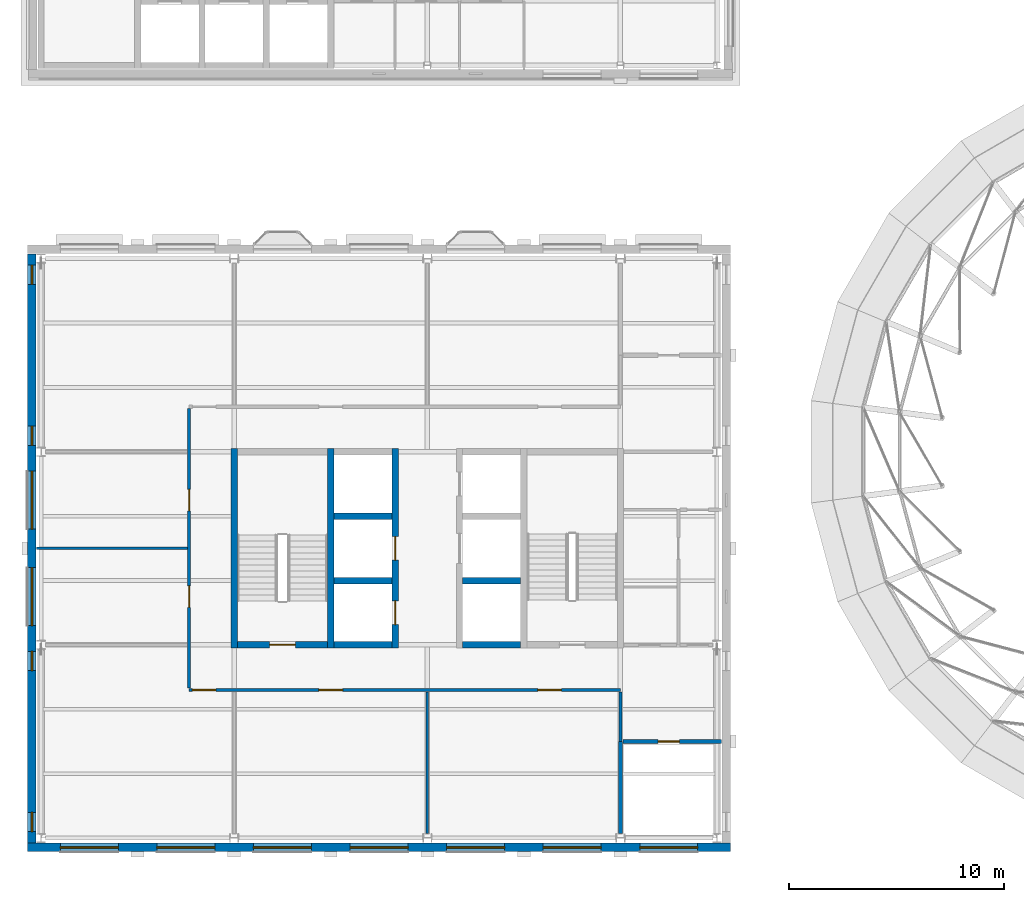
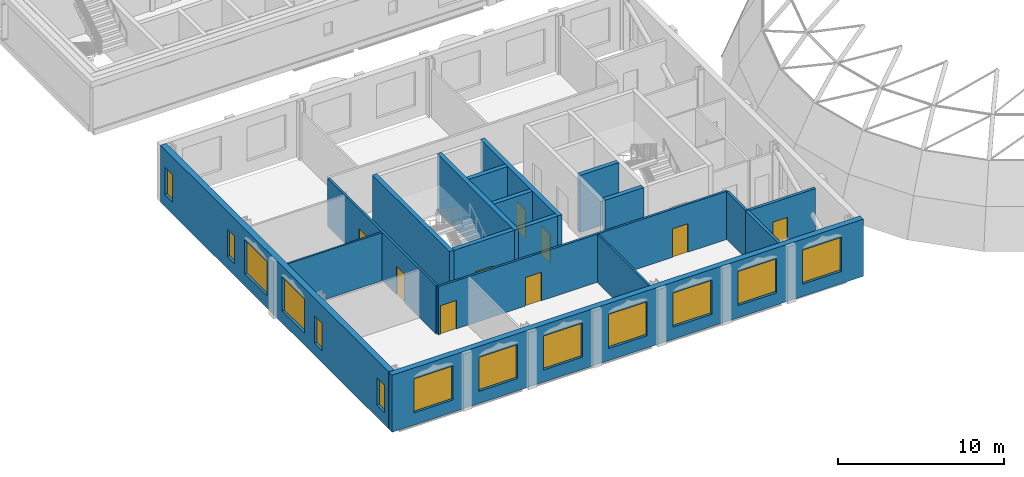
# One storey, part 33 of 62: 18 walls, 13 windows, 9 doors, 22 openings.
"""IFC4 building model written with IfcOpenShell, lengths in metres."""

from ifc_helpers import new_model, si_unit, direction, frame, frame_2d, origin, place, context, subcontext, project, spatial, rectangle, extrude, material, layer, layer_set, type_object, element, fill, save


model = new_model("IFC4")

# Units and contexts
model_context = context("Model", 3, precision=1e-05, world=origin(), true_north=direction((0.0, 1.0)))
body_context = subcontext(model_context, "Body", "Model", "MODEL_VIEW")
ifc_project = project(units=[si_unit("LENGTHUNIT", "METRE"), si_unit("AREAUNIT", "SQUARE_METRE"), si_unit("VOLUMEUNIT", "CUBIC_METRE"), si_unit("PLANEANGLEUNIT", "RADIAN"), si_unit("MASSUNIT", "GRAM", prefix="KILO")], contexts=[model_context])

# Site, building, storey
site_placement = place(None, origin())
site = spatial("IfcSite", under=ifc_project, at=site_placement, CompositionType="ELEMENT")
building_placement = place(site_placement, origin())
building = spatial("IfcBuilding", under=site, at=building_placement, Name="Hortulan Conservatory and Botanical Research Centre", CompositionType="ELEMENT")
storey_placement = place(building_placement, frame((0.0, 0.0, 15.0)))
storey = spatial("IfcBuildingStorey", under=building, at=storey_placement, Name="L03", CompositionType="ELEMENT", Elevation=15.0)

# Wall
ifc_material_1 = material(Name="Fire-rated plasterboard on steel studs", Category="steel")
ifc_layer_1 = layer(ifc_material_1, 0.199951171875)
ifc_layer_set_1 = layer_set([ifc_layer_1], Name="Compartment Partition 200")
wall_type_1 = type_object("IfcWallType", Name="Compartment Partition 200", PredefinedType="PARTITIONING", material=ifc_layer_set_1)
wall_1_placement = place(storey_placement, frame((27.0, 0.220947265625, 0.0), z_axis=(0.0, 0.0, 1.0), x_axis=(0.0, 1.0, 0.0)))
element("IfcWall", 1, at=wall_1_placement, inside=storey, type_object=wall_type_1, Name="Riser wall", PredefinedType="PARTITIONING", context=body_context, shape_type="SweptSolid", body=[
    extrude(rectangle(XDim=4.279052734375, YDim=0.199951171875, at=frame_2d((2.1396484375, 0.0))), origin(), (0.0, 0.0, 1.0), 3.537109375),
])

# Wall, opening, door
wall_2_placement = place(storey_placement, frame((27.110107421875, 4.5, 0.0), z_axis=(0.0, 0.0, 1.0), x_axis=(1.0, 0.0, 0.0)))
wall_2 = element("IfcWall", 2, at=wall_2_placement, inside=storey, type_object=wall_type_1, Name="Riser wall", PredefinedType="PARTITIONING", context=body_context, shape_type="SweptSolid", body=[
    extrude(rectangle(XDim=4.60498046875, YDim=0.199951171875, at=frame_2d((2.302490234375, 0.0))), origin(), (0.0, 0.0, 1.0), 3.537109375),
])
opening_1_placement = place(wall_2_placement, frame((1.639892578125, 0.0, 0.0)))
opening_1 = element("IfcOpeningElement", 3, at=opening_1_placement, cuts=wall_2, Name="Opening DT6", PredefinedType="OPENING", context=body_context, shape_type="SweptSolid", body=[
    extrude(rectangle(XDim=1.0, YDim=2.10009765625, at=frame_2d((0.5, 1.050048828125))), frame((0.0, 0.10986328125, 0.0), z_axis=(0.0, -1.0, 0.0), x_axis=(1.0, 0.0, 0.0)), (0.0, 0.0, 1.0), 0.219970703125),
])
ifc_material_2 = material(Name="Steel door leaf, insulated", Category="steel")
door_type_1 = type_object("IfcDoorType", Name="Fire Door 1000x2100 FRL -/120/30", OperationType="NOTDEFINED", PredefinedType="DOOR", material=ifc_material_2)
door_1_placement = place(opening_1_placement, frame((1.0, 0.0, 0.0), z_axis=(0.0, 0.0, 1.0), x_axis=(-1.0, 0.0, 0.0)))
door_1 = element("IfcDoor", 4, at=door_1_placement, inside=storey, type_object=door_type_1, Name="Door DT6 Services Riser", OperationType="SINGLE_SWING_LEFT", OverallHeight=2.10009765625, OverallWidth=1.0, PredefinedType="DOOR", context=body_context, shape_type="SweptSolid", body=[
    extrude(rectangle(XDim=1.0, YDim=2.10009765625, at=frame_2d((0.5, 1.050048828125))), frame((0.0, 0.02490234375, 0.0), z_axis=(0.0, -1.0, 0.0), x_axis=(1.0, 0.0, 0.0)), (0.0, 0.0, 1.0), 0.050048828125),
])
fill(opening_1, door_1)

# Walls
ifc_material_3 = material(Name="Concrete N50 (50 MPa, AS 3600)", Category="concrete")
ifc_layer_2 = layer(ifc_material_3, 0.300048828125)
ifc_layer_set_2 = layer_set([ifc_layer_2], Name="Core Wall 300 N50 FRL 240/120/120")
wall_type_2 = type_object("IfcWallType", Name="Core Wall 300 N50 FRL 240/120/120", PredefinedType="SHEAR", material=ifc_layer_set_2)
for number, where, z_axis, x_axis, name in (
    (5, (9.0, 8.85009765625, 0.0), (0.0, 0.0, 1.0), (0.0, 1.0, 0.0), "Reinforced concrete shaft wall"),
    (6, (13.5, 8.85009765625, 0.0), (0.0, 0.0, 1.0), (0.0, 1.0, 0.0), "Reinforced concrete shaft wall"),
):
    element("IfcWall", number, at=place(storey_placement, frame(where, z_axis=z_axis, x_axis=x_axis)), inside=storey, type_object=wall_type_2, Name=name, PredefinedType="SHEAR", context=body_context, shape_type="SweptSolid", body=[
        extrude(rectangle(XDim=9.2998046875, YDim=0.300048828125, at=frame_2d((4.64990234375, 0.0))), origin(), (0.0, 0.0, 1.0), 4.199951171875),
    ])

# Wall, openings, doors
wall_3_placement = place(storey_placement, frame((16.5, 8.85009765625, 0.0), z_axis=(0.0, 0.0, 1.0), x_axis=(0.0, 1.0, 0.0)))
wall_3 = element("IfcWall", 7, at=wall_3_placement, inside=storey, type_object=wall_type_2, Name="Reinforced concrete shaft wall", PredefinedType="SHEAR", context=body_context, shape_type="SweptSolid", body=[
    extrude(rectangle(XDim=9.2998046875, YDim=0.300048828125, at=frame_2d((4.64990234375, 0.0))), origin(), (0.0, 0.0, 1.0), 4.199951171875),
])
opening_2_placement = place(wall_3_placement, frame((1.10009765625, 0.0, 0.0)))
opening_2 = element("IfcOpeningElement", 8, at=opening_2_placement, cuts=wall_3, Name="Opening LD1", PredefinedType="OPENING", context=body_context, shape_type="SweptSolid", body=[
    extrude(rectangle(XDim=1.10009765625, YDim=2.10009765625, at=frame_2d((0.550048828125, 1.050048828125))), frame((0.0, 0.159912109375, 0.0), z_axis=(0.0, -1.0, 0.0), x_axis=(1.0, 0.0, 0.0)), (0.0, 0.0, 1.0), 0.320068359375),
])
opening_3_placement = place(wall_3_placement, frame((4.10009765625, 0.0, 0.0)))
opening_3 = element("IfcOpeningElement", 9, at=opening_3_placement, cuts=wall_3, Name="Opening LD1", PredefinedType="OPENING", context=body_context, shape_type="SweptSolid", body=[
    extrude(rectangle(XDim=1.10009765625, YDim=2.10009765625, at=frame_2d((0.550048828125, 1.050048828125))), frame((0.0, 0.159912109375, 0.0), z_axis=(0.0, -1.0, 0.0), x_axis=(1.0, 0.0, 0.0)), (0.0, 0.0, 1.0), 0.320068359375),
])
ifc_material_4 = material(Name="Stainless steel door leaves in steel frame", Category="steel")
door_type_2 = type_object("IfcDoorType", Name="Lift Landing Door 1100x2100", OperationType="DOUBLE_DOOR_SLIDING", PredefinedType="DOOR", material=ifc_material_4)
door_2_placement = place(opening_2_placement, origin())
door_2 = element("IfcDoor", 10, at=door_2_placement, inside=storey, type_object=door_type_2, Name="Lift LP1 landing door L03", OperationType="DOUBLE_DOOR_SLIDING", OverallHeight=2.10009765625, OverallWidth=1.10009765625, PredefinedType="DOOR", context=body_context, shape_type="SweptSolid", body=[
    extrude(rectangle(XDim=1.10009765625, YDim=2.10009765625, at=frame_2d((0.550048828125, 1.050048828125))), frame((0.0, 0.02490234375, 0.0), z_axis=(0.0, -1.0, 0.0), x_axis=(1.0, 0.0, 0.0)), (0.0, 0.0, 1.0), 0.050048828125),
])
fill(opening_2, door_2)
door_3_placement = place(opening_3_placement, origin())
door_3 = element("IfcDoor", 11, at=door_3_placement, inside=storey, type_object=door_type_2, Name="Lift LP2 landing door L03", OperationType="DOUBLE_DOOR_SLIDING", OverallHeight=2.10009765625, OverallWidth=1.10009765625, PredefinedType="DOOR", context=body_context, shape_type="SweptSolid", body=[
    extrude(rectangle(XDim=1.10009765625, YDim=2.10009765625, at=frame_2d((0.550048828125, 1.050048828125))), frame((0.0, 0.02490234375, 0.0), z_axis=(0.0, -1.0, 0.0), x_axis=(1.0, 0.0, 0.0)), (0.0, 0.0, 1.0), 0.050048828125),
])
fill(opening_3, door_3)

# Wall, opening, door
wall_4_placement = place(storey_placement, frame((9.14990234375, 9.0, 0.0), z_axis=(0.0, 0.0, 1.0), x_axis=(1.0, 0.0, 0.0)))
wall_4 = element("IfcWall", 12, at=wall_4_placement, inside=storey, type_object=wall_type_2, Name="Reinforced concrete shaft wall", PredefinedType="SHEAR", context=body_context, shape_type="SweptSolid", body=[
    extrude(rectangle(XDim=4.2001953125, YDim=0.300048828125, at=frame_2d((2.10009765625, 0.0))), origin(), (0.0, 0.0, 1.0), 4.199951171875),
])
opening_4_placement = place(wall_4_placement, frame((1.5, 0.0, 0.0)))
opening_4 = element("IfcOpeningElement", 13, at=opening_4_placement, cuts=wall_4, Name="Opening DT5", PredefinedType="OPENING", context=body_context, shape_type="SweptSolid", body=[
    extrude(rectangle(XDim=1.199951171875, YDim=2.10009765625, at=frame_2d((0.60009765625, 1.050048828125))), frame((0.0, 0.159912109375, 0.0), z_axis=(0.0, -1.0, 0.0), x_axis=(1.0, 0.0, 0.0)), (0.0, 0.0, 1.0), 0.320068359375),
])
door_type_3 = type_object("IfcDoorType", Name="Stair Door 1200x2100 FRL -/120/30", OperationType="NOTDEFINED", PredefinedType="DOOR", material=ifc_material_2)
door_4_placement = place(opening_4_placement, origin())
door_4 = element("IfcDoor", 14, at=door_4_placement, inside=storey, type_object=door_type_3, Name="Door DT5 Exit Stair T1", OperationType="SINGLE_SWING_RIGHT", OverallHeight=2.10009765625, OverallWidth=1.199951171875, PredefinedType="DOOR", context=body_context, shape_type="SweptSolid", body=[
    extrude(rectangle(XDim=1.199951171875, YDim=2.10009765625, at=frame_2d((0.60009765625, 1.050048828125))), frame((0.0, 0.02490234375, 0.0), z_axis=(0.0, -1.0, 0.0), x_axis=(1.0, 0.0, 0.0)), (0.0, 0.0, 1.0), 0.050048828125),
])
fill(opening_4, door_4)

# Walls
for number, where, z_axis, x_axis, name in (
    (15, (13.64990234375, 9.0, 0.0), (0.0, 0.0, 1.0), (1.0, 0.0, 0.0), "Reinforced concrete shaft wall"),
    (16, (19.64990234375, 9.0, 0.0), (0.0, 0.0, 1.0), (1.0, 0.0, 0.0), "Reinforced concrete shaft wall"),
    (17, (13.64990234375, 12.0, 0.0), (0.0, 0.0, 1.0), (1.0, 0.0, 0.0), "Reinforced concrete shaft wall"),
    (18, (19.64990234375, 12.0, 0.0), (0.0, 0.0, 1.0), (1.0, 0.0, 0.0), "Reinforced concrete shaft wall"),
    (19, (13.64990234375, 15.0, 0.0), (0.0, 0.0, 1.0), (1.0, 0.0, 0.0), "Reinforced concrete shaft wall"),
):
    element("IfcWall", number, at=place(storey_placement, frame(where, z_axis=z_axis, x_axis=x_axis)), inside=storey, type_object=wall_type_2, Name=name, PredefinedType="SHEAR", context=body_context, shape_type="SweptSolid", body=[
        extrude(rectangle(XDim=2.7001953125, YDim=0.300048828125, at=frame_2d((1.35009765625, 0.0))), origin(), (0.0, 0.0, 1.0), 4.199951171875),
    ])

# Wall, openings, doors
ifc_material_5 = material(Name="Plasterboard on steel studs", Category="steel")
ifc_layer_3 = layer(ifc_material_5, 0.14990234375)
ifc_layer_set_3 = layer_set([ifc_layer_3], Name="Corridor Partition 150")
wall_type_3 = type_object("IfcWallType", Name="Corridor Partition 150", PredefinedType="PARTITIONING", material=ifc_layer_set_3)
wall_5_placement = place(storey_placement, frame((6.89990234375, 6.985107421875, 0.0), z_axis=(0.0, 0.0, 1.0), x_axis=(0.0, 1.0, 0.0)))
wall_5 = element("IfcWall", 20, at=wall_5_placement, inside=storey, type_object=wall_type_3, Name="Corridor partition", PredefinedType="PARTITIONING", context=body_context, shape_type="SweptSolid", body=[
    extrude(rectangle(XDim=13.02978515625, YDim=0.14990234375, at=frame_2d((6.514892578125, 0.0))), origin(), (0.0, 0.0, 1.0), 3.537109375),
])
opening_5_placement = place(wall_5_placement, frame((3.764892578125, 0.0, 0.0)))
opening_5 = element("IfcOpeningElement", 21, at=opening_5_placement, cuts=wall_5, Name="Opening DT1", PredefinedType="OPENING", context=body_context, shape_type="SweptSolid", body=[
    extrude(rectangle(XDim=1.0, YDim=2.10009765625, at=frame_2d((0.5, 1.050048828125))), frame((0.0, 0.0849609375, 0.0), z_axis=(0.0, -1.0, 0.0), x_axis=(1.0, 0.0, 0.0)), (0.0, 0.0, 1.0), 0.169921875),
])
opening_6_placement = place(wall_5_placement, frame((8.264892578125, 0.0, 0.0)))
opening_6 = element("IfcOpeningElement", 22, at=opening_6_placement, cuts=wall_5, Name="Opening DT1", PredefinedType="OPENING", context=body_context, shape_type="SweptSolid", body=[
    extrude(rectangle(XDim=1.0, YDim=2.10009765625, at=frame_2d((0.5, 1.050048828125))), frame((0.0, 0.0849609375, 0.0), z_axis=(0.0, -1.0, 0.0), x_axis=(1.0, 0.0, 0.0)), (0.0, 0.0, 1.0), 0.169921875),
])
ifc_material_6 = material(Name="Timber door leaf in timber frame", Category="wood")
door_type_4 = type_object("IfcDoorType", Name="Single Door 1000x2100", OperationType="NOTDEFINED", PredefinedType="DOOR", material=ifc_material_6)
door_5_placement = place(opening_5_placement, origin())
door_5 = element("IfcDoor", 23, at=door_5_placement, inside=storey, type_object=door_type_4, Name="Door DT1 Instrument Room", OperationType="SINGLE_SWING_LEFT", OverallHeight=2.10009765625, OverallWidth=1.0, PredefinedType="DOOR", context=body_context, shape_type="SweptSolid", body=[
    extrude(rectangle(XDim=1.0, YDim=2.10009765625, at=frame_2d((0.5, 1.050048828125))), frame((0.0, 0.02490234375, 0.0), z_axis=(0.0, -1.0, 0.0), x_axis=(1.0, 0.0, 0.0)), (0.0, 0.0, 1.0), 0.050048828125),
])
fill(opening_5, door_5)
door_6_placement = place(opening_6_placement, origin())
door_6 = element("IfcDoor", 24, at=door_6_placement, inside=storey, type_object=door_type_4, Name="Door DT1 Autoclave and Wash-up Room", OperationType="SINGLE_SWING_RIGHT", OverallHeight=2.10009765625, OverallWidth=1.0, PredefinedType="DOOR", context=body_context, shape_type="SweptSolid", body=[
    extrude(rectangle(XDim=1.0, YDim=2.10009765625, at=frame_2d((0.5, 1.050048828125))), frame((0.0, 0.02490234375, 0.0), z_axis=(0.0, -1.0, 0.0), x_axis=(1.0, 0.0, 0.0)), (0.0, 0.0, 1.0), 0.050048828125),
])
fill(opening_6, door_6)

# Wall
wall_6_placement = place(storey_placement, frame((27.0, 4.510009765625, 0.0), z_axis=(0.0, 0.0, 1.0), x_axis=(0.0, 1.0, 0.0)))
element("IfcWall", 25, at=wall_6_placement, inside=storey, type_object=wall_type_3, Name="Corridor partition", PredefinedType="PARTITIONING", context=body_context, shape_type="SweptSolid", body=[
    extrude(rectangle(XDim=2.304931640625, YDim=0.14990234375, at=frame_2d((1.15234375, 0.0))), origin(), (0.0, 0.0, 1.0), 3.537109375),
])

# Wall, openings, doors
wall_7_placement = place(storey_placement, frame((6.89990234375, 6.89990234375, 0.0), z_axis=(0.0, 0.0, 1.0), x_axis=(1.0, 0.0, 0.0)))
wall_7 = element("IfcWall", 26, at=wall_7_placement, inside=storey, type_object=wall_type_3, Name="Corridor partition", PredefinedType="PARTITIONING", context=body_context, shape_type="SweptSolid", body=[
    extrude(rectangle(XDim=20.10009765625, YDim=0.14990234375, at=frame_2d((10.050048828125, 0.0))), origin(), (0.0, 0.0, 1.0), 3.537109375),
])
opening_7_placement = place(wall_7_placement, frame((0.14990234375, 0.0, 0.0)))
opening_7 = element("IfcOpeningElement", 27, at=opening_7_placement, cuts=wall_7, Name="Opening DT3", PredefinedType="OPENING", context=body_context, shape_type="SweptSolid", body=[
    extrude(rectangle(XDim=1.10009765625, YDim=2.10009765625, at=frame_2d((0.550048828125, 1.050048828125))), frame((0.0, 0.0849609375, 0.0), z_axis=(0.0, -1.0, 0.0), x_axis=(1.0, 0.0, 0.0)), (0.0, 0.0, 1.0), 0.169921875),
])
opening_8_placement = place(wall_7_placement, frame((6.050048828125, 0.0, 0.0)))
opening_8 = element("IfcOpeningElement", 28, at=opening_8_placement, cuts=wall_7, Name="Opening DT3", PredefinedType="OPENING", context=body_context, shape_type="SweptSolid", body=[
    extrude(rectangle(XDim=1.10009765625, YDim=2.10009765625, at=frame_2d((0.550048828125, 1.050048828125))), frame((0.0, 0.0849609375, 0.0), z_axis=(0.0, -1.0, 0.0), x_axis=(1.0, 0.0, 0.0)), (0.0, 0.0, 1.0), 0.169921875),
])
opening_9_placement = place(wall_7_placement, frame((16.25, 0.0, 0.0)))
opening_9 = element("IfcOpeningElement", 29, at=opening_9_placement, cuts=wall_7, Name="Opening DT3", PredefinedType="OPENING", context=body_context, shape_type="SweptSolid", body=[
    extrude(rectangle(XDim=1.10009765625, YDim=2.10009765625, at=frame_2d((0.550048828125, 1.050048828125))), frame((0.0, 0.0849609375, 0.0), z_axis=(0.0, -1.0, 0.0), x_axis=(1.0, 0.0, 0.0)), (0.0, 0.0, 1.0), 0.169921875),
])
ifc_material_7 = material(Name="Timber door leaf with vision panel", Category="wood")
door_type_5 = type_object("IfcDoorType", Name="Laboratory Door 1100x2100", OperationType="NOTDEFINED", PredefinedType="DOOR", material=ifc_material_7)
door_7_placement = place(opening_7_placement, frame((1.10009765625, 0.0, 0.0), z_axis=(0.0, 0.0, 1.0), x_axis=(-1.0, 0.0, 0.0)))
door_7 = element("IfcDoor", 30, at=door_7_placement, inside=storey, type_object=door_type_5, Name="Door DT3 Research Laboratory", OperationType="SINGLE_SWING_RIGHT", OverallHeight=2.10009765625, OverallWidth=1.10009765625, PredefinedType="DOOR", context=body_context, shape_type="SweptSolid", body=[
    extrude(rectangle(XDim=1.10009765625, YDim=2.10009765625, at=frame_2d((0.550048828125, 1.050048828125))), frame((0.0, 0.02490234375, 0.0), z_axis=(0.0, -1.0, 0.0), x_axis=(1.0, 0.0, 0.0)), (0.0, 0.0, 1.0), 0.050048828125),
])
fill(opening_7, door_7)
door_8_placement = place(opening_8_placement, frame((1.10009765625, 0.0, 0.0), z_axis=(0.0, 0.0, 1.0), x_axis=(-1.0, 0.0, 0.0)))
door_8 = element("IfcDoor", 31, at=door_8_placement, inside=storey, type_object=door_type_5, Name="Door DT3 Molecular Biology Laboratory", OperationType="SINGLE_SWING_LEFT", OverallHeight=2.10009765625, OverallWidth=1.10009765625, PredefinedType="DOOR", context=body_context, shape_type="SweptSolid", body=[
    extrude(rectangle(XDim=1.10009765625, YDim=2.10009765625, at=frame_2d((0.550048828125, 1.050048828125))), frame((0.0, 0.02490234375, 0.0), z_axis=(0.0, -1.0, 0.0), x_axis=(1.0, 0.0, 0.0)), (0.0, 0.0, 1.0), 0.050048828125),
])
fill(opening_8, door_8)
door_9_placement = place(opening_9_placement, frame((1.10009765625, 0.0, 0.0), z_axis=(0.0, 0.0, 1.0), x_axis=(-1.0, 0.0, 0.0)))
door_9 = element("IfcDoor", 32, at=door_9_placement, inside=storey, type_object=door_type_5, Name="Door DT3 Tissue Culture Laboratory", OperationType="SINGLE_SWING_RIGHT", OverallHeight=2.10009765625, OverallWidth=1.10009765625, PredefinedType="DOOR", context=body_context, shape_type="SweptSolid", body=[
    extrude(rectangle(XDim=1.10009765625, YDim=2.10009765625, at=frame_2d((0.550048828125, 1.050048828125))), frame((0.0, 0.02490234375, 0.0), z_axis=(0.0, -1.0, 0.0), x_axis=(1.0, 0.0, 0.0)), (0.0, 0.0, 1.0), 0.050048828125),
])
fill(opening_9, door_9)

# Wall, openings, windows
ifc_material_8 = material(Name="Faience-faced brickwork masonry", Category="masonry")
ifc_layer_4 = layer(ifc_material_8, 0.39990234375)
ifc_layer_set_4 = layer_set([ifc_layer_4], Name="Faience-faced Masonry Cavity Wall 400")
wall_type_4 = type_object("IfcWallType", Name="Faience-faced Masonry Cavity Wall 400", PredefinedType="STANDARD", material=ifc_layer_set_4)
wall_8_placement = place(storey_placement, frame((32.125, -0.43603515625, 0.0), z_axis=(0.0, 0.0, 1.0), x_axis=(-1.0, 0.0, 0.0)))
wall_8 = element("IfcWall", 33, at=wall_8_placement, inside=storey, type_object=wall_type_4, Name="E-EW-TW-L03-S1", PredefinedType="STANDARD", context=body_context, shape_type="SweptSolid", body=[
    extrude(rectangle(XDim=32.75, YDim=0.39990234375, at=frame_2d((16.375, 0.0))), origin(), (0.0, 0.0, 1.0), 4.199951171875),
])
opening_10_placement = place(wall_8_placement, frame((28.52490234375, 0.0, 0.89990234375)))
opening_10 = element("IfcOpeningElement", 34, at=opening_10_placement, cuts=wall_8, Name="Opening W4", PredefinedType="OPENING", context=body_context, shape_type="SweptSolid", body=[
    extrude(rectangle(XDim=2.699951171875, YDim=2.5, at=frame_2d((1.35009765625, 1.25))), frame((0.0, 0.2099609375, 0.0), z_axis=(0.0, -1.0, 0.0), x_axis=(1.0, 0.0, 0.0)), (0.0, 0.0, 1.0), 0.419921875),
])
opening_11_placement = place(wall_8_placement, frame((24.02490234375, 0.0, 0.89990234375)))
opening_11 = element("IfcOpeningElement", 35, at=opening_11_placement, cuts=wall_8, Name="Opening W4", PredefinedType="OPENING", context=body_context, shape_type="SweptSolid", body=[
    extrude(rectangle(XDim=2.699951171875, YDim=2.5, at=frame_2d((1.35009765625, 1.25))), frame((0.0, 0.2099609375, 0.0), z_axis=(0.0, -1.0, 0.0), x_axis=(1.0, 0.0, 0.0)), (0.0, 0.0, 1.0), 0.419921875),
])
opening_12_placement = place(wall_8_placement, frame((19.52490234375, 0.0, 0.89990234375)))
opening_12 = element("IfcOpeningElement", 36, at=opening_12_placement, cuts=wall_8, Name="Opening W4", PredefinedType="OPENING", context=body_context, shape_type="SweptSolid", body=[
    extrude(rectangle(XDim=2.699951171875, YDim=2.5, at=frame_2d((1.35009765625, 1.25))), frame((0.0, 0.2099609375, 0.0), z_axis=(0.0, -1.0, 0.0), x_axis=(1.0, 0.0, 0.0)), (0.0, 0.0, 1.0), 0.419921875),
])
opening_13_placement = place(wall_8_placement, frame((15.02490234375, 0.0, 0.89990234375)))
opening_13 = element("IfcOpeningElement", 37, at=opening_13_placement, cuts=wall_8, Name="Opening W4", PredefinedType="OPENING", context=body_context, shape_type="SweptSolid", body=[
    extrude(rectangle(XDim=2.699951171875, YDim=2.5, at=frame_2d((1.35009765625, 1.25))), frame((0.0, 0.2099609375, 0.0), z_axis=(0.0, -1.0, 0.0), x_axis=(1.0, 0.0, 0.0)), (0.0, 0.0, 1.0), 0.419921875),
])
opening_14_placement = place(wall_8_placement, frame((10.52490234375, 0.0, 0.89990234375)))
opening_14 = element("IfcOpeningElement", 38, at=opening_14_placement, cuts=wall_8, Name="Opening W4", PredefinedType="OPENING", context=body_context, shape_type="SweptSolid", body=[
    extrude(rectangle(XDim=2.699951171875, YDim=2.5, at=frame_2d((1.35009765625, 1.25))), frame((0.0, 0.2099609375, 0.0), z_axis=(0.0, -1.0, 0.0), x_axis=(1.0, 0.0, 0.0)), (0.0, 0.0, 1.0), 0.419921875),
])
opening_15_placement = place(wall_8_placement, frame((6.02490234375, 0.0, 0.89990234375)))
opening_15 = element("IfcOpeningElement", 39, at=opening_15_placement, cuts=wall_8, Name="Opening W4", PredefinedType="OPENING", context=body_context, shape_type="SweptSolid", body=[
    extrude(rectangle(XDim=2.699951171875, YDim=2.5, at=frame_2d((1.35009765625, 1.25))), frame((0.0, 0.2099609375, 0.0), z_axis=(0.0, -1.0, 0.0), x_axis=(1.0, 0.0, 0.0)), (0.0, 0.0, 1.0), 0.419921875),
])
opening_16_placement = place(wall_8_placement, frame((1.52490234375, 0.0, 0.89990234375)))
opening_16 = element("IfcOpeningElement", 40, at=opening_16_placement, cuts=wall_8, Name="Opening W4", PredefinedType="OPENING", context=body_context, shape_type="SweptSolid", body=[
    extrude(rectangle(XDim=2.699951171875, YDim=2.5, at=frame_2d((1.35009765625, 1.25))), frame((0.0, 0.2099609375, 0.0), z_axis=(0.0, -1.0, 0.0), x_axis=(1.0, 0.0, 0.0)), (0.0, 0.0, 1.0), 0.419921875),
])
ifc_material_9 = material(Name="Bronze-finished aluminium frame with low-e laminated double glazing", Category="aluminium")
window_type_1 = type_object("IfcWindowType", Name="Faience Window 2700x2500", PartitioningType="SINGLE_PANEL", PredefinedType="WINDOW", material=ifc_material_9)
window_1_placement = place(opening_10_placement, origin())
window_1 = element("IfcWindow", 41, at=window_1_placement, inside=storey, type_object=window_type_1, Name="Faience window", OverallHeight=2.5, OverallWidth=2.699951171875, PartitioningType="SINGLE_PANEL", PredefinedType="WINDOW", context=body_context, shape_type="SweptSolid", body=[
    extrude(rectangle(XDim=2.699951171875, YDim=2.5, at=frame_2d((1.35009765625, 1.25))), frame((0.0, 0.030029296875, 0.0), z_axis=(0.0, -1.0, 0.0), x_axis=(1.0, 0.0, 0.0)), (0.0, 0.0, 1.0), 0.06005859375),
])
fill(opening_10, window_1)
window_2_placement = place(opening_11_placement, origin())
window_2 = element("IfcWindow", 42, at=window_2_placement, inside=storey, type_object=window_type_1, Name="Faience window", OverallHeight=2.5, OverallWidth=2.699951171875, PartitioningType="SINGLE_PANEL", PredefinedType="WINDOW", context=body_context, shape_type="SweptSolid", body=[
    extrude(rectangle(XDim=2.699951171875, YDim=2.5, at=frame_2d((1.35009765625, 1.25))), frame((0.0, 0.030029296875, 0.0), z_axis=(0.0, -1.0, 0.0), x_axis=(1.0, 0.0, 0.0)), (0.0, 0.0, 1.0), 0.06005859375),
])
fill(opening_11, window_2)
window_3_placement = place(opening_12_placement, origin())
window_3 = element("IfcWindow", 43, at=window_3_placement, inside=storey, type_object=window_type_1, Name="Faience window", OverallHeight=2.5, OverallWidth=2.699951171875, PartitioningType="SINGLE_PANEL", PredefinedType="WINDOW", context=body_context, shape_type="SweptSolid", body=[
    extrude(rectangle(XDim=2.699951171875, YDim=2.5, at=frame_2d((1.35009765625, 1.25))), frame((0.0, 0.030029296875, 0.0), z_axis=(0.0, -1.0, 0.0), x_axis=(1.0, 0.0, 0.0)), (0.0, 0.0, 1.0), 0.06005859375),
])
fill(opening_12, window_3)
window_4_placement = place(opening_13_placement, origin())
window_4 = element("IfcWindow", 44, at=window_4_placement, inside=storey, type_object=window_type_1, Name="Faience window", OverallHeight=2.5, OverallWidth=2.699951171875, PartitioningType="SINGLE_PANEL", PredefinedType="WINDOW", context=body_context, shape_type="SweptSolid", body=[
    extrude(rectangle(XDim=2.699951171875, YDim=2.5, at=frame_2d((1.35009765625, 1.25))), frame((0.0, 0.030029296875, 0.0), z_axis=(0.0, -1.0, 0.0), x_axis=(1.0, 0.0, 0.0)), (0.0, 0.0, 1.0), 0.06005859375),
])
fill(opening_13, window_4)
window_5_placement = place(opening_14_placement, origin())
window_5 = element("IfcWindow", 45, at=window_5_placement, inside=storey, type_object=window_type_1, Name="Faience window", OverallHeight=2.5, OverallWidth=2.699951171875, PartitioningType="SINGLE_PANEL", PredefinedType="WINDOW", context=body_context, shape_type="SweptSolid", body=[
    extrude(rectangle(XDim=2.699951171875, YDim=2.5, at=frame_2d((1.35009765625, 1.25))), frame((0.0, 0.030029296875, 0.0), z_axis=(0.0, -1.0, 0.0), x_axis=(1.0, 0.0, 0.0)), (0.0, 0.0, 1.0), 0.06005859375),
])
fill(opening_14, window_5)
window_6_placement = place(opening_15_placement, origin())
window_6 = element("IfcWindow", 46, at=window_6_placement, inside=storey, type_object=window_type_1, Name="Faience window", OverallHeight=2.5, OverallWidth=2.699951171875, PartitioningType="SINGLE_PANEL", PredefinedType="WINDOW", context=body_context, shape_type="SweptSolid", body=[
    extrude(rectangle(XDim=2.699951171875, YDim=2.5, at=frame_2d((1.35009765625, 1.25))), frame((0.0, 0.030029296875, 0.0), z_axis=(0.0, -1.0, 0.0), x_axis=(1.0, 0.0, 0.0)), (0.0, 0.0, 1.0), 0.06005859375),
])
fill(opening_15, window_6)
window_7_placement = place(opening_16_placement, origin())
window_7 = element("IfcWindow", 47, at=window_7_placement, inside=storey, type_object=window_type_1, Name="Faience window", OverallHeight=2.5, OverallWidth=2.699951171875, PartitioningType="SINGLE_PANEL", PredefinedType="WINDOW", context=body_context, shape_type="SweptSolid", body=[
    extrude(rectangle(XDim=2.699951171875, YDim=2.5, at=frame_2d((1.35009765625, 1.25))), frame((0.0, 0.030029296875, 0.0), z_axis=(0.0, -1.0, 0.0), x_axis=(1.0, 0.0, 0.0)), (0.0, 0.0, 1.0), 0.06005859375),
])
fill(opening_16, window_7)

wall_9_placement = place(storey_placement, frame((-0.425048828125, -0.22509765625, 0.0), z_axis=(0.0, 0.0, 1.0), x_axis=(0.0, 1.0, 0.0)))
wall_9 = element("IfcWall", 48, at=wall_9_placement, inside=storey, type_object=wall_type_4, Name="E-EW-TW-L03-W2", PredefinedType="STANDARD", context=body_context, shape_type="SweptSolid", body=[
    extrude(rectangle(XDim=27.4501953125, YDim=0.39990234375, at=frame_2d((13.72509765625, 0.0))), origin(), (0.0, 0.0, 1.0), 4.199951171875),
])
opening_17_placement = place(wall_9_placement, frame((0.52490234375, 0.0, 0.89990234375)))
opening_17 = element("IfcOpeningElement", 49, at=opening_17_placement, cuts=wall_9, Name="Opening W5", PredefinedType="OPENING", context=body_context, shape_type="SweptSolid", body=[
    extrude(rectangle(XDim=0.89990234375, YDim=2.0, at=frame_2d((0.449951171875, 1.0))), frame((0.0, 0.2099609375, 0.0), z_axis=(0.0, -1.0, 0.0), x_axis=(1.0, 0.0, 0.0)), (0.0, 0.0, 1.0), 0.419921875),
])
opening_18_placement = place(wall_9_placement, frame((8.02490234375, 0.0, 0.89990234375)))
opening_18 = element("IfcOpeningElement", 50, at=opening_18_placement, cuts=wall_9, Name="Opening W5", PredefinedType="OPENING", context=body_context, shape_type="SweptSolid", body=[
    extrude(rectangle(XDim=0.89990234375, YDim=2.0, at=frame_2d((0.449951171875, 1.0))), frame((0.0, 0.2099609375, 0.0), z_axis=(0.0, -1.0, 0.0), x_axis=(1.0, 0.0, 0.0)), (0.0, 0.0, 1.0), 0.419921875),
])
opening_19_placement = place(wall_9_placement, frame((10.125, 0.0, 0.89990234375)))
opening_19 = element("IfcOpeningElement", 51, at=opening_19_placement, cuts=wall_9, Name="Opening W4", PredefinedType="OPENING", context=body_context, shape_type="SweptSolid", body=[
    extrude(rectangle(XDim=2.699951171875, YDim=2.5, at=frame_2d((1.35009765625, 1.25))), frame((0.0, 0.2099609375, 0.0), z_axis=(0.0, -1.0, 0.0), x_axis=(1.0, 0.0, 0.0)), (0.0, 0.0, 1.0), 0.419921875),
])
opening_20_placement = place(wall_9_placement, frame((14.625, 0.0, 0.89990234375)))
opening_20 = element("IfcOpeningElement", 52, at=opening_20_placement, cuts=wall_9, Name="Opening W4", PredefinedType="OPENING", context=body_context, shape_type="SweptSolid", body=[
    extrude(rectangle(XDim=2.699951171875, YDim=2.5, at=frame_2d((1.35009765625, 1.25))), frame((0.0, 0.2099609375, 0.0), z_axis=(0.0, -1.0, 0.0), x_axis=(1.0, 0.0, 0.0)), (0.0, 0.0, 1.0), 0.419921875),
])
opening_21_placement = place(wall_9_placement, frame((18.52490234375, 0.0, 0.89990234375)))
opening_21 = element("IfcOpeningElement", 53, at=opening_21_placement, cuts=wall_9, Name="Opening W5", PredefinedType="OPENING", context=body_context, shape_type="SweptSolid", body=[
    extrude(rectangle(XDim=0.89990234375, YDim=2.0, at=frame_2d((0.449951171875, 1.0))), frame((0.0, 0.2099609375, 0.0), z_axis=(0.0, -1.0, 0.0), x_axis=(1.0, 0.0, 0.0)), (0.0, 0.0, 1.0), 0.419921875),
])
opening_22_placement = place(wall_9_placement, frame((26.02490234375, 0.0, 0.89990234375)))
opening_22 = element("IfcOpeningElement", 54, at=opening_22_placement, cuts=wall_9, Name="Opening W5", PredefinedType="OPENING", context=body_context, shape_type="SweptSolid", body=[
    extrude(rectangle(XDim=0.89990234375, YDim=2.0, at=frame_2d((0.449951171875, 1.0))), frame((0.0, 0.2099609375, 0.0), z_axis=(0.0, -1.0, 0.0), x_axis=(1.0, 0.0, 0.0)), (0.0, 0.0, 1.0), 0.419921875),
])
window_type_2 = type_object("IfcWindowType", Name="Faience Pier Window 900x2000", PartitioningType="SINGLE_PANEL", PredefinedType="WINDOW", material=ifc_material_9)
window_8_placement = place(opening_17_placement, origin())
window_8 = element("IfcWindow", 55, at=window_8_placement, inside=storey, type_object=window_type_2, Name="Faience Pier window", OverallHeight=2.0, OverallWidth=0.89990234375, PartitioningType="SINGLE_PANEL", PredefinedType="WINDOW", context=body_context, shape_type="SweptSolid", body=[
    extrude(rectangle(XDim=0.89990234375, YDim=2.0, at=frame_2d((0.449951171875, 1.0))), frame((0.0, 0.030029296875, 0.0), z_axis=(0.0, -1.0, 0.0), x_axis=(1.0, 0.0, 0.0)), (0.0, 0.0, 1.0), 0.06005859375),
])
fill(opening_17, window_8)
window_9_placement = place(opening_18_placement, origin())
window_9 = element("IfcWindow", 56, at=window_9_placement, inside=storey, type_object=window_type_2, Name="Faience Pier window", OverallHeight=2.0, OverallWidth=0.89990234375, PartitioningType="SINGLE_PANEL", PredefinedType="WINDOW", context=body_context, shape_type="SweptSolid", body=[
    extrude(rectangle(XDim=0.89990234375, YDim=2.0, at=frame_2d((0.449951171875, 1.0))), frame((0.0, 0.030029296875, 0.0), z_axis=(0.0, -1.0, 0.0), x_axis=(1.0, 0.0, 0.0)), (0.0, 0.0, 1.0), 0.06005859375),
])
fill(opening_18, window_9)
window_10_placement = place(opening_21_placement, origin())
window_10 = element("IfcWindow", 57, at=window_10_placement, inside=storey, type_object=window_type_2, Name="Faience Pier window", OverallHeight=2.0, OverallWidth=0.89990234375, PartitioningType="SINGLE_PANEL", PredefinedType="WINDOW", context=body_context, shape_type="SweptSolid", body=[
    extrude(rectangle(XDim=0.89990234375, YDim=2.0, at=frame_2d((0.449951171875, 1.0))), frame((0.0, 0.030029296875, 0.0), z_axis=(0.0, -1.0, 0.0), x_axis=(1.0, 0.0, 0.0)), (0.0, 0.0, 1.0), 0.06005859375),
])
fill(opening_21, window_10)
window_11_placement = place(opening_22_placement, origin())
window_11 = element("IfcWindow", 58, at=window_11_placement, inside=storey, type_object=window_type_2, Name="Faience Pier window", OverallHeight=2.0, OverallWidth=0.89990234375, PartitioningType="SINGLE_PANEL", PredefinedType="WINDOW", context=body_context, shape_type="SweptSolid", body=[
    extrude(rectangle(XDim=0.89990234375, YDim=2.0, at=frame_2d((0.449951171875, 1.0))), frame((0.0, 0.030029296875, 0.0), z_axis=(0.0, -1.0, 0.0), x_axis=(1.0, 0.0, 0.0)), (0.0, 0.0, 1.0), 0.06005859375),
])
fill(opening_22, window_11)
window_12_placement = place(opening_19_placement, origin())
window_12 = element("IfcWindow", 59, at=window_12_placement, inside=storey, type_object=window_type_1, Name="Faience window", OverallHeight=2.5, OverallWidth=2.699951171875, PartitioningType="SINGLE_PANEL", PredefinedType="WINDOW", context=body_context, shape_type="SweptSolid", body=[
    extrude(rectangle(XDim=2.699951171875, YDim=2.5, at=frame_2d((1.35009765625, 1.25))), frame((0.0, 0.030029296875, 0.0), z_axis=(0.0, -1.0, 0.0), x_axis=(1.0, 0.0, 0.0)), (0.0, 0.0, 1.0), 0.06005859375),
])
fill(opening_19, window_12)
window_13_placement = place(opening_20_placement, origin())
window_13 = element("IfcWindow", 60, at=window_13_placement, inside=storey, type_object=window_type_1, Name="Faience window", OverallHeight=2.5, OverallWidth=2.699951171875, PartitioningType="SINGLE_PANEL", PredefinedType="WINDOW", context=body_context, shape_type="SweptSolid", body=[
    extrude(rectangle(XDim=2.699951171875, YDim=2.5, at=frame_2d((1.35009765625, 1.25))), frame((0.0, 0.030029296875, 0.0), z_axis=(0.0, -1.0, 0.0), x_axis=(1.0, 0.0, 0.0)), (0.0, 0.0, 1.0), 0.06005859375),
])
fill(opening_20, window_13)

# Walls
ifc_layer_5 = layer(ifc_material_5, 0.125)
ifc_layer_set_5 = layer_set([ifc_layer_5], Name="Partition 125")
wall_type_5 = type_object("IfcWallType", Name="Partition 125", PredefinedType="PARTITIONING", material=ifc_layer_set_5)
wall_10_placement = place(storey_placement, frame((18.0, 0.220947265625, 0.0), z_axis=(0.0, 0.0, 1.0), x_axis=(0.0, 1.0, 0.0)))
element("IfcWall", 61, at=wall_10_placement, inside=storey, type_object=wall_type_5, Name="Partition", PredefinedType="PARTITIONING", context=body_context, shape_type="SweptSolid", body=[
    extrude(rectangle(XDim=6.593994140625, YDim=0.125, at=frame_2d((3.296875, 0.0))), origin(), (0.0, 0.0, 1.0), 3.537109375),
])
wall_11_placement = place(storey_placement, frame((-0.215087890625, 13.5, 0.0), z_axis=(0.0, 0.0, 1.0), x_axis=(1.0, 0.0, 0.0)))
element("IfcWall", 62, at=wall_11_placement, inside=storey, type_object=wall_type_5, Name="Partition", PredefinedType="PARTITIONING", context=body_context, shape_type="SweptSolid", body=[
    extrude(rectangle(XDim=7.030029296875, YDim=0.125, at=frame_2d((3.51513671875, 0.0))), origin(), (0.0, 0.0, 1.0), 3.537109375),
])

save(model, "model.ifc")
